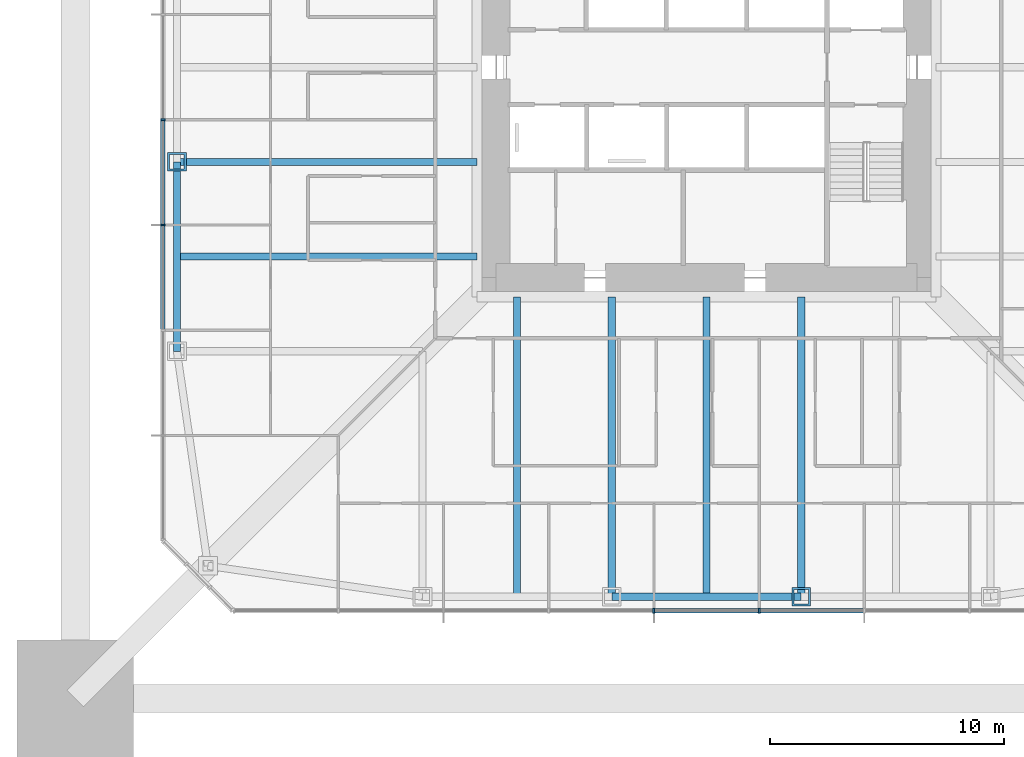
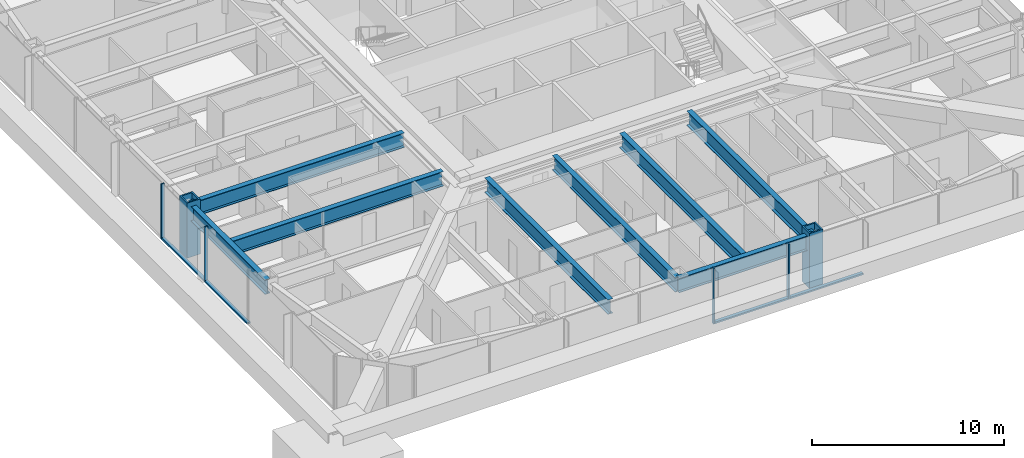
# One storey, part 4 of 32: 10 members, 8 beams, 2 elements without a shape of their own.
"""IFC4 building model written with IfcOpenShell, lengths in metres."""

from ifc_helpers import new_model, si_unit, direction, frame, origin, origin_2d, place, context, subcontext, project, spatial, rectangle, hollow_rectangle, i_section, extrude, material, material_profile, profile_set, type_object, element, aggregate, save


model = new_model("IFC4")

# Units and contexts
model_context = context("Model", 3, precision=1e-05, world=origin(), true_north=direction((0.0, 1.0)))
body_context = subcontext(model_context, "Body", "Model", "MODEL_VIEW")
ifc_project = project(units=[si_unit("LENGTHUNIT", "METRE"), si_unit("AREAUNIT", "SQUARE_METRE"), si_unit("VOLUMEUNIT", "CUBIC_METRE"), si_unit("PLANEANGLEUNIT", "RADIAN"), si_unit("MASSUNIT", "GRAM", prefix="KILO")], contexts=[model_context])

# Site, building, storey
site_placement = place(None, origin())
site = spatial("IfcSite", under=ifc_project, at=site_placement, CompositionType="ELEMENT")
building_placement = place(site_placement, origin())
building = spatial("IfcBuilding", under=site, at=building_placement, Name="Iwan Alto Co-Living Towers", CompositionType="ELEMENT")
storey_placement = place(building_placement, frame((0.0, 0.0, 71.0)))
storey = spatial("IfcBuildingStorey", under=building, at=storey_placement, Name="L19", CompositionType="ELEMENT", Elevation=71.0)

# Curtain wall, members
ifc_material_1 = material(Name="Bronze aluminium unitised frame", Category="aluminium")
curtain_wall_type = type_object("IfcCurtainWallType", Name="CURTAIN WALL CW-A", PredefinedType="NOTDEFINED", material=ifc_material_1)
curtain_wall_1_placement = place(storey_placement, origin())
curtain_wall_1 = element("IfcCurtainWall", 1, at=curtain_wall_1_placement, inside=storey, type_object=curtain_wall_type, Name="T1 curtain wall S L19", PredefinedType="NOTDEFINED")
ifc_material_2 = material(Name="Aluminium 6063-T6 bronze anodised", Category="aluminium")
ifc_material_profile_1 = material_profile(ifc_material_2, rectangle(XDim=0.199951171875, YDim=0.080078125, at=origin_2d()), Name="AL 80X200")
ifc_profile_set_1 = profile_set([ifc_material_profile_1], Name="Aluminium 6063-T6 bronze anodised")
member_type_1 = type_object("IfcMemberType", Name="CW-A MULLION 80X200", PredefinedType="MULLION", material=ifc_profile_set_1)
member_1_placement = place(storey_placement, frame((-2.25, -23.25, 0.0), z_axis=(0.0, 0.0, 1.0), x_axis=(0.0, 1.0, 0.0)))
member_1 = element("IfcMember", 2, at=member_1_placement, type_object=member_type_1, Name="CW-A mullion 5", PredefinedType="MULLION", context=body_context, shape_type="SweptSolid", body=[
    extrude(rectangle(XDim=0.199951171875, YDim=0.080078125, at=origin_2d()), origin(), (0.0, 0.0, 1.0), 3.5),
])
member_2_placement = place(storey_placement, frame((2.25, -23.25, 0.0), z_axis=(0.0, 0.0, 1.0), x_axis=(0.0, 1.0, 0.0)))
member_2 = element("IfcMember", 3, at=member_2_placement, type_object=member_type_1, Name="CW-A mullion 6", PredefinedType="MULLION", context=body_context, shape_type="SweptSolid", body=[
    extrude(rectangle(XDim=0.199951171875, YDim=0.080078125, at=origin_2d()), origin(), (0.0, 0.0, 1.0), 3.5),
])

curtain_wall_2_placement = place(storey_placement, origin())
curtain_wall_2 = element("IfcCurtainWall", 4, at=curtain_wall_2_placement, inside=storey, type_object=curtain_wall_type, Name="T1 curtain wall W L19", PredefinedType="NOTDEFINED")
member_3_placement = place(storey_placement, frame((-23.25, -2.25, 0.0), z_axis=(0.0, 0.0, 1.0), x_axis=(1.0, 0.0, 0.0)))
member_3 = element("IfcMember", 5, at=member_3_placement, type_object=member_type_1, Name="CW-A mullion 6", PredefinedType="MULLION", context=body_context, shape_type="SweptSolid", body=[
    extrude(rectangle(XDim=0.199951171875, YDim=0.080078125, at=origin_2d()), origin(), (0.0, 0.0, 1.0), 3.5),
])
member_4_placement = place(storey_placement, frame((-23.25, -6.75, 0.0), z_axis=(0.0, 0.0, 1.0), x_axis=(1.0, 0.0, 0.0)))
member_4 = element("IfcMember", 6, at=member_4_placement, type_object=member_type_1, Name="CW-A mullion 7", PredefinedType="MULLION", context=body_context, shape_type="SweptSolid", body=[
    extrude(rectangle(XDim=0.199951171875, YDim=0.080078125, at=origin_2d()), origin(), (0.0, 0.0, 1.0), 3.5),
])

# Member
ifc_material_3 = material(Name="Aluminium 6063-T6 bronze anodised", Category="aluminium")
ifc_material_profile_2 = material_profile(ifc_material_3, rectangle(XDim=0.199951171875, YDim=0.10009765625, at=origin_2d()), Name="AL 200X100")
ifc_profile_set_2 = profile_set([ifc_material_profile_2], Name="Aluminium 6063-T6 bronze anodised")
member_type_2 = type_object("IfcMemberType", Name="CW-A TRANSOM 200X100", PredefinedType="USERDEFINED", material=ifc_profile_set_2)
member_5_placement = place(storey_placement, frame((-2.2099609375, -23.25, 0.050048828125), z_axis=(1.0, 0.0, 0.0), x_axis=(0.0, 1.0, 0.0)))
member_5 = element("IfcMember", 7, at=member_5_placement, type_object=member_type_2, Name="CW-A transom 5.1", ObjectType="TRANSOM", PredefinedType="USERDEFINED", context=body_context, shape_type="SweptSolid", body=[
    extrude(rectangle(XDim=0.199951171875, YDim=0.10009765625, at=origin_2d()), origin(), (0.0, 0.0, 1.0), 4.419921875),
])

member_6_placement = place(storey_placement, frame((2.2900390625, -23.25, 0.050048828125), z_axis=(1.0, 0.0, 0.0), x_axis=(0.0, 1.0, 0.0)))
member_6 = element("IfcMember", 8, at=member_6_placement, type_object=member_type_2, Name="CW-A transom 6.1", ObjectType="TRANSOM", PredefinedType="USERDEFINED", context=body_context, shape_type="SweptSolid", body=[
    extrude(rectangle(XDim=0.199951171875, YDim=0.10009765625, at=origin_2d()), origin(), (0.0, 0.0, 1.0), 4.419921875),
])

aggregate(curtain_wall_1, [member_1, member_2, member_5, member_6])

member_7_placement = place(storey_placement, frame((-23.25, -2.2900390625, 0.050048828125), z_axis=(0.0, -1.0, 0.0), x_axis=(1.0, 0.0, 0.0)))
member_7 = element("IfcMember", 9, at=member_7_placement, type_object=member_type_2, Name="CW-A transom 6.1", ObjectType="TRANSOM", PredefinedType="USERDEFINED", context=body_context, shape_type="SweptSolid", body=[
    extrude(rectangle(XDim=0.199951171875, YDim=0.10009765625, at=origin_2d()), origin(), (0.0, 0.0, 1.0), 4.419921875),
])

member_8_placement = place(storey_placement, frame((-23.25, -6.7900390625, 0.050048828125), z_axis=(0.0, -1.0, 0.0), x_axis=(1.0, 0.0, 0.0)))
member_8 = element("IfcMember", 10, at=member_8_placement, type_object=member_type_2, Name="CW-A transom 7.1", ObjectType="TRANSOM", PredefinedType="USERDEFINED", context=body_context, shape_type="SweptSolid", body=[
    extrude(rectangle(XDim=0.199951171875, YDim=0.10009765625, at=origin_2d()), origin(), (0.0, 0.0, 1.0), 4.419921875),
])

aggregate(curtain_wall_2, [member_3, member_4, member_7, member_8])

# Beams
ifc_material_4 = material(Name="Steel ASTM A992 Gr 50", Category="steel")
ifc_material_profile_3 = material_profile(ifc_material_4, i_section(OverallWidth=0.307373046875, OverallDepth=0.927001953125, WebThickness=0.01953125, FlangeThickness=0.031982421875, at=origin_2d()), Name="W36X194")
ifc_profile_set_3 = profile_set([ifc_material_profile_3], Name="Steel ASTM A992 Gr 50")
beam_type_1 = type_object("IfcBeamType", Name="T1 BELT TRUSS CHORD W36X194", PredefinedType="BEAM", material=ifc_profile_set_3)
beam_1_placement = place(storey_placement, frame((-4.050048828125, -22.64990234375, 2.736328125), z_axis=(1.0, 0.0, 0.0), x_axis=(0.0, 1.0, 0.0)))
element("IfcBeam", 11, at=beam_1_placement, inside=storey, type_object=beam_type_1, Name="T1 edge beam S2 L20", PredefinedType="BEAM", context=body_context, shape_type="SweptSolid", body=[
    extrude(i_section(OverallWidth=0.307373046875, OverallDepth=0.927001953125, WebThickness=0.01953125, FlangeThickness=0.031982421875, at=origin_2d()), origin(), (0.0, 0.0, 1.0), 8.10009765625),
])
beam_2_placement = place(storey_placement, frame((-22.64990234375, -4.050048828125, 2.736328125), z_axis=(0.0, -1.0, 0.0), x_axis=(1.0, 0.0, 0.0)))
element("IfcBeam", 12, at=beam_2_placement, inside=storey, type_object=beam_type_1, Name="T1 edge beam W3 L20", PredefinedType="BEAM", context=body_context, shape_type="SweptSolid", body=[
    extrude(i_section(OverallWidth=0.307373046875, OverallDepth=0.927001953125, WebThickness=0.01953125, FlangeThickness=0.031982421875, at=origin_2d()), origin(), (0.0, 0.0, 1.0), 8.099853515625),
])
ifc_material_5 = material(Name="Steel ASTM A992 Gr 50", Category="steel")
ifc_material_profile_4 = material_profile(ifc_material_5, i_section(OverallWidth=0.307373046875, OverallDepth=0.927001953125, WebThickness=0.01953125, FlangeThickness=0.031982421875, at=origin_2d()), Name="W36X194")
ifc_profile_set_4 = profile_set([ifc_material_profile_4], Name="Steel ASTM A992 Gr 50")
beam_type_2 = type_object("IfcBeamType", Name="T1 RADIAL BEAM W36X194", PredefinedType="BEAM", material=ifc_profile_set_4)
for number, where, z_axis, x_axis, name in (
    (13, (-4.050048828125, -22.64990234375, 2.736328125), (0.0, 1.0, 0.0), (-1.0, 0.0, 0.0), "T1 radial beam S2 L20"),
    (14, (4.050048828125, -22.64990234375, 2.736328125), (0.0, 1.0, 0.0), (-1.0, 0.0, 0.0), "T1 radial beam S3 L20"),
    (15, (-22.64990234375, -4.050048828125, 2.736328125), (1.0, 0.0, 0.0), (0.0, 1.0, 0.0), "T1 radial beam W3 L20"),
):
    element("IfcBeam", number, at=place(storey_placement, frame(where, z_axis=z_axis, x_axis=x_axis)), inside=storey, type_object=beam_type_2, Name=name, PredefinedType="BEAM", context=body_context, shape_type="SweptSolid", body=[
        extrude(i_section(OverallWidth=0.307373046875, OverallDepth=0.927001953125, WebThickness=0.01953125, FlangeThickness=0.031982421875, at=origin_2d()), origin(), (0.0, 0.0, 1.0), 12.83154296875),
    ])

# Members
ifc_material_6 = material(Name="Steel ASTM A572 Gr 50", Category="steel")
ifc_material_profile_5 = material_profile(ifc_material_6, hollow_rectangle(XDim=0.800048828125, YDim=0.800048828125, WallThickness=0.090087890625, at=origin_2d()), Name="BOX 800X800X90")
ifc_profile_set_5 = profile_set([ifc_material_profile_5], Name="Steel ASTM A572 Gr 50")
member_type_3 = type_object("IfcMemberType", Name="T1 RING POST AT STEP BOX 800X800X90", PredefinedType="MEMBER", material=ifc_profile_set_5)
for number, where, z_axis, x_axis, name in (
    (16, (4.050048828125, -22.64990234375, 0.0), (0.0, 0.0, 1.0), (1.0, 0.0, 0.0), "T1 ring post at step S3 L19"),
    (17, (-22.64990234375, -4.050048828125, 0.0), (0.0, 0.0, 1.0), (1.0, 0.0, 0.0), "T1 ring post at step W3 L19"),
):
    element("IfcMember", number, at=place(storey_placement, frame(where, z_axis=z_axis, x_axis=x_axis)), inside=storey, type_object=member_type_3, Name=name, PredefinedType="MEMBER", context=body_context, shape_type="SweptSolid", body=[
        extrude(hollow_rectangle(XDim=0.800048828125, YDim=0.800048828125, WallThickness=0.090087890625, at=origin_2d()), origin(), (0.0, 0.0, 1.0), 3.5),
    ])

# Beams
ifc_material_7 = material(Name="Steel ASTM A992 Gr 50", Category="steel")
ifc_material_profile_6 = material_profile(ifc_material_7, i_section(OverallWidth=0.307373046875, OverallDepth=0.927001953125, WebThickness=0.01953125, FlangeThickness=0.031982421875, at=origin_2d()), Name="W36X194")
ifc_profile_set_6 = profile_set([ifc_material_profile_6], Name="Steel ASTM A992 Gr 50")
beam_type_3 = type_object("IfcBeamType", Name="T1 SECONDARY BEAM W36X194", PredefinedType="JOIST", material=ifc_profile_set_6)
for number, where, z_axis, x_axis, name in (
    (18, (-8.10009765625, -22.64990234375, 2.736328125), (0.0, 1.0, 0.0), (-1.0, 0.0, 0.0), "T1 secondary beam S1 L20"),
    (19, (0.0, -22.64990234375, 2.736328125), (0.0, 1.0, 0.0), (-1.0, 0.0, 0.0), "T1 secondary beam S2 L20"),
    (20, (-22.64990234375, -8.10009765625, 2.736328125), (1.0, 0.0, 0.0), (0.0, 1.0, 0.0), "T1 secondary beam W3 L20"),
):
    element("IfcBeam", number, at=place(storey_placement, frame(where, z_axis=z_axis, x_axis=x_axis)), inside=storey, type_object=beam_type_3, Name=name, PredefinedType="JOIST", context=body_context, shape_type="SweptSolid", body=[
        extrude(i_section(OverallWidth=0.307373046875, OverallDepth=0.927001953125, WebThickness=0.01953125, FlangeThickness=0.031982421875, at=origin_2d()), origin(), (0.0, 0.0, 1.0), 12.83154296875),
    ])

save(model, "model.ifc")
